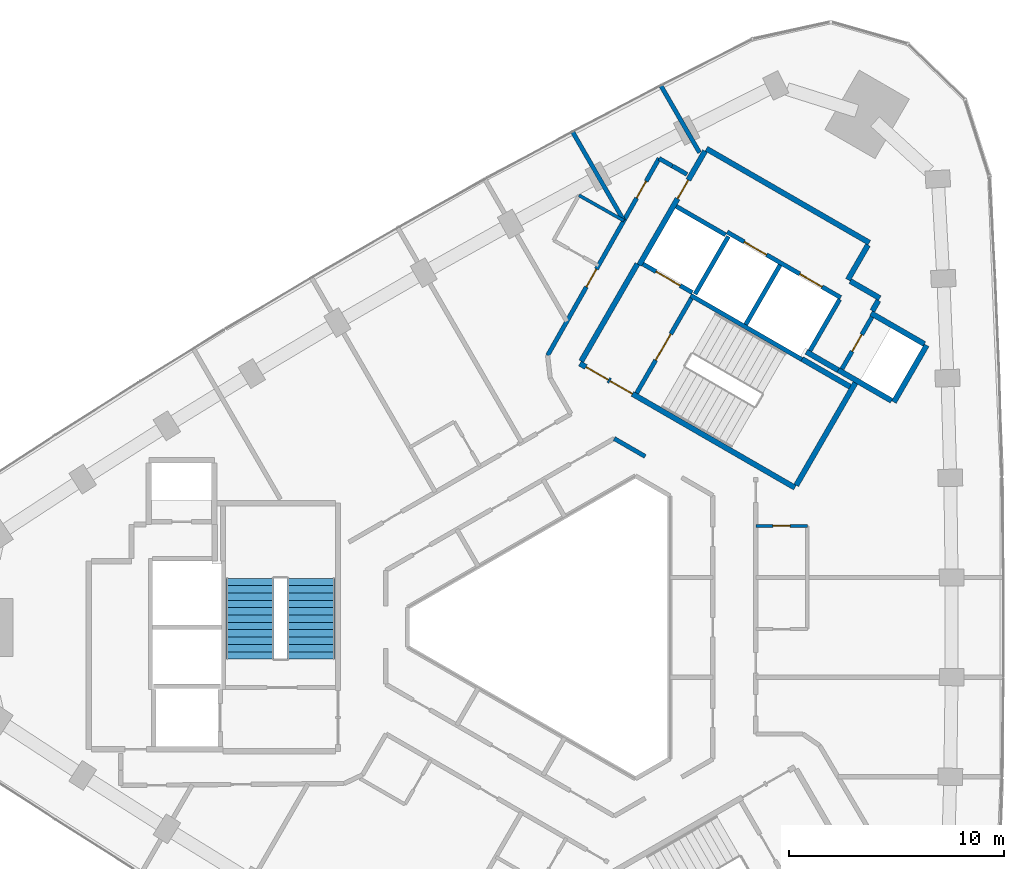
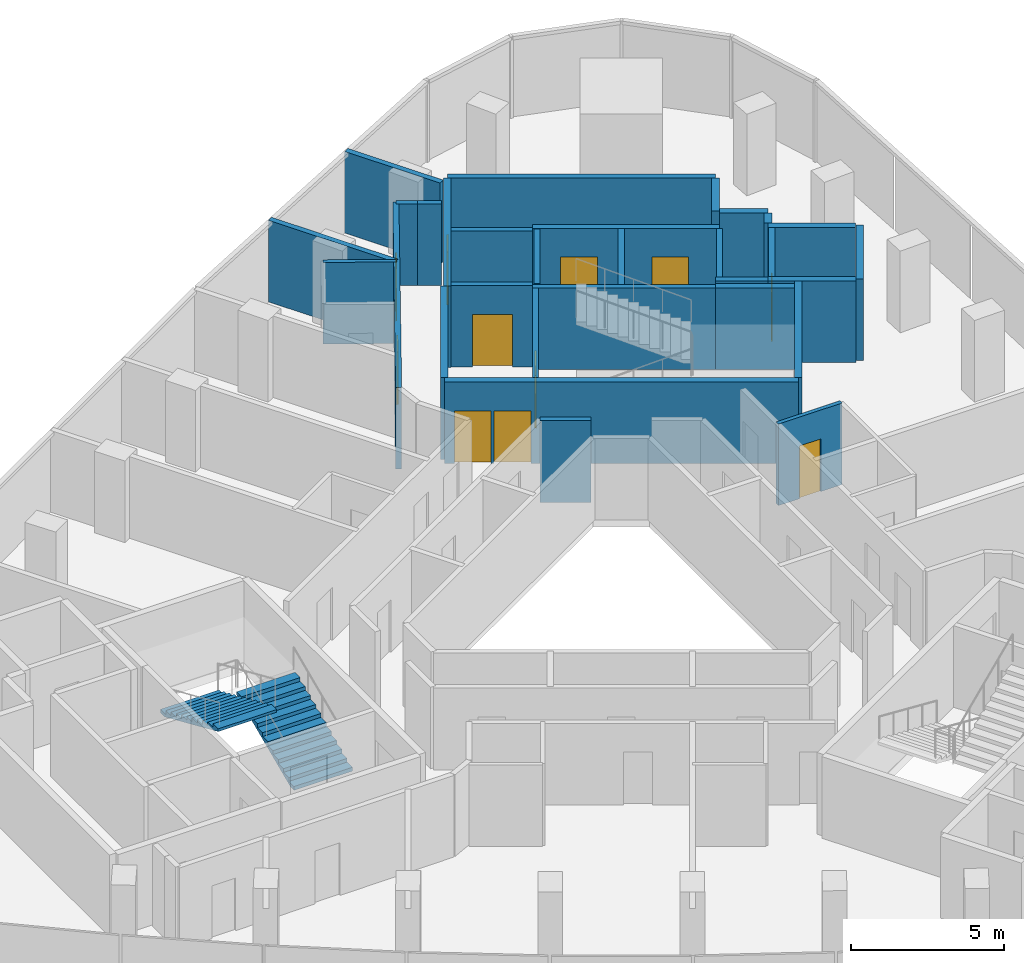
# One storey, part 10 of 12: 30 walls, 11 doors, 2 stair flights, 11 openings, 1 element without a shape of its own.
"""IFC4 building model written with IfcOpenShell, lengths in metres."""

from ifc_helpers import new_model, si_unit, direction, frame, frame_2d, origin, place, context, subcontext, project, spatial, polyline, rectangle, outline, extrude, material, layer, layer_set, type_object, element, fill, aggregate, save


model = new_model("IFC4")

# Units and contexts
model_context = context("Model", 3, precision=1e-05, world=origin(), true_north=direction((0.0, 1.0)))
body_context = subcontext(model_context, "Body", "Model", "MODEL_VIEW")
ifc_project = project(units=[si_unit("LENGTHUNIT", "METRE"), si_unit("AREAUNIT", "SQUARE_METRE"), si_unit("VOLUMEUNIT", "CUBIC_METRE"), si_unit("PLANEANGLEUNIT", "RADIAN"), si_unit("MASSUNIT", "GRAM", prefix="KILO")], contexts=[model_context])

# Site, building, storey
site_placement = place(None, origin())
site = spatial("IfcSite", under=ifc_project, at=site_placement, CompositionType="ELEMENT")
building_placement = place(site_placement, origin())
building = spatial("IfcBuilding", under=site, at=building_placement, Name="Tamra Quay Hotel Tower", CompositionType="ELEMENT")
storey_placement = place(building_placement, frame((0.0, 0.0, 200.800048828125)))
storey = spatial("IfcBuildingStorey", under=building, at=storey_placement, Name="L50", CompositionType="ELEMENT", Elevation=200.800048828125)

# Wall, openings, doors
ifc_material_1 = material(Name="Concrete M70", Category="concrete")
ifc_layer_1 = layer(ifc_material_1, 0.199951171875)
ifc_layer_set_1 = layer_set([ifc_layer_1], Name="Concrete M70 core wall 200")
wall_type_1 = type_object("IfcWallType", Name="Concrete M70 core wall 200", PredefinedType="SHEAR", material=ifc_layer_set_1)
wall_1_placement = place(storey_placement, frame((12.552490234375, 15.341552734375, 0.0), z_axis=(0.0, 0.0, 1.0), x_axis=(-0.866030299012, 0.499991521122, 0.0)))
wall_1 = element("IfcWall", 1, at=wall_1_placement, inside=storey, type_object=wall_type_1, Name="CW2", PredefinedType="SHEAR", context=body_context, shape_type="SweptSolid", body=[
    extrude(rectangle(XDim=6.10009765625, YDim=0.199951171875, at=frame_2d((3.050048828125, 0.0))), origin(), (0.0, 0.0, 1.0), 3.25),
])
opening_1_placement = place(wall_1_placement, frame((1.0, 0.0, 0.0)))
opening_1 = element("IfcOpeningElement", 2, at=opening_1_placement, cuts=wall_1, Name="Opening LD", PredefinedType="OPENING", context=body_context, shape_type="SweptSolid", body=[
    extrude(rectangle(XDim=1.199951171875, YDim=2.10009765625, at=frame_2d((0.60009765625, 1.050048828125))), frame((0.0, 0.10986328125, 0.0), z_axis=(0.0, -1.0, 0.0), x_axis=(1.0, 0.0, 0.0)), (0.0, 0.0, 1.0), 0.219970703125),
])
opening_2_placement = place(wall_1_placement, frame((3.982177734375, 0.0, 0.0)))
opening_2 = element("IfcOpeningElement", 3, at=opening_2_placement, cuts=wall_1, Name="Opening LD", PredefinedType="OPENING", context=body_context, shape_type="SweptSolid", body=[
    extrude(rectangle(XDim=1.199951171875, YDim=2.10009765625, at=frame_2d((0.60009765625, 1.050048828125))), frame((0.0, 0.10986328125, 0.0), z_axis=(0.0, -1.0, 0.0), x_axis=(1.0, 0.0, 0.0)), (0.0, 0.0, 1.0), 0.219970703125),
])
ifc_material_2 = material(Name="Landing door LD 1200 double door sliding")
door_type_1 = type_object("IfcDoorType", Name="Landing door LD 1200 double door sliding", OperationType="DOUBLE_DOOR_SLIDING", PredefinedType="DOOR", material=ifc_material_2)
door_1_placement = place(opening_1_placement, origin())
door_1 = element("IfcDoor", 4, at=door_1_placement, inside=storey, type_object=door_type_1, Name="LD", OperationType="DOUBLE_DOOR_SLIDING", OverallHeight=2.10009765625, OverallWidth=1.199951171875, PredefinedType="DOOR", context=body_context, shape_type="SweptSolid", body=[
    extrude(rectangle(XDim=1.199951171875, YDim=2.10009765625, at=frame_2d((0.60009765625, 1.050048828125))), frame((0.0, 0.02490234375, 0.0), z_axis=(0.0, -1.0, 0.0), x_axis=(1.0, 0.0, 0.0)), (0.0, 0.0, 1.0), 0.050048828125),
])
fill(opening_1, door_1)
door_2_placement = place(opening_2_placement, origin())
door_2 = element("IfcDoor", 5, at=door_2_placement, inside=storey, type_object=door_type_1, Name="LD", OperationType="DOUBLE_DOOR_SLIDING", OverallHeight=2.10009765625, OverallWidth=1.199951171875, PredefinedType="DOOR", context=body_context, shape_type="SweptSolid", body=[
    extrude(rectangle(XDim=1.199951171875, YDim=2.10009765625, at=frame_2d((0.60009765625, 1.050048828125))), frame((0.0, 0.02490234375, 0.0), z_axis=(0.0, -1.0, 0.0), x_axis=(1.0, 0.0, 0.0)), (0.0, 0.0, 1.0), 0.050048828125),
])
fill(opening_2, door_2)

# Wall
wall_2_placement = place(storey_placement, frame((10.7431640625, 12.4599609375, 0.0), z_axis=(0.0, 0.0, 1.0), x_axis=(-0.866018848283, 0.500011354289, 0.0)))
element("IfcWall", 6, at=wall_2_placement, inside=storey, type_object=wall_type_1, Name="CW2", PredefinedType="SHEAR", context=body_context, shape_type="SweptSolid", body=[
    extrude(rectangle(XDim=5.973876953125, YDim=0.199951171875, at=frame_2d((2.98681640625, 0.0))), origin(), (0.0, 0.0, 1.0), 3.25),
])

# Wall, opening, door
wall_3_placement = place(storey_placement, frame((3.056640625, 10.89453125, 0.0), z_axis=(0.0, 0.0, 1.0), x_axis=(0.500027839223, 0.866009330205, 0.0)))
wall_3 = element("IfcWall", 7, at=wall_3_placement, inside=storey, type_object=wall_type_1, Name="CW2", PredefinedType="SHEAR", context=body_context, shape_type="SweptSolid", body=[
    extrude(rectangle(XDim=5.097900390625, YDim=0.199951171875, at=frame_2d((2.548828125, 0.0))), origin(), (0.0, 0.0, 1.0), 3.25),
])
opening_3_placement = place(wall_3_placement, frame((1.77392578125, 0.0, 0.0)))
opening_3 = element("IfcOpeningElement", 8, at=opening_3_placement, cuts=wall_3, Name="Opening FD2", PredefinedType="OPENING", context=body_context, shape_type="SweptSolid", body=[
    extrude(rectangle(XDim=1.39990234375, YDim=2.10009765625, at=frame_2d((0.699951171875, 1.050048828125))), frame((0.0, 0.10986328125, 0.0), z_axis=(0.0, -1.0, 0.0), x_axis=(1.0, 0.0, 0.0)), (0.0, 0.0, 1.0), 0.219970703125),
])
ifc_material_3 = material(Name="Core door FD2 1400x2100 RH")
door_type_2 = type_object("IfcDoorType", Name="Core door FD2 1400x2100 RH", OperationType="NOTDEFINED", PredefinedType="DOOR", material=ifc_material_3)
door_3_placement = place(opening_3_placement, origin())
door_3 = element("IfcDoor", 9, at=door_3_placement, inside=storey, type_object=door_type_2, Name="FD2", OperationType="SINGLE_SWING_RIGHT", OverallHeight=2.10009765625, OverallWidth=1.39990234375, PredefinedType="DOOR", context=body_context, shape_type="SweptSolid", body=[
    extrude(rectangle(XDim=1.39990234375, YDim=2.10009765625, at=frame_2d((0.699951171875, 1.050048828125))), frame((0.0, 0.02490234375, 0.0), z_axis=(0.0, -1.0, 0.0), x_axis=(1.0, 0.0, 0.0)), (0.0, 0.0, 1.0), 0.050048828125),
])
fill(opening_3, door_3)

# Wall
wall_4_placement = place(storey_placement, frame((8.131591796875, 14.08447265625, 0.0), z_axis=(0.0, 0.0, 1.0), x_axis=(0.500030834389, 0.86600760081, 0.0)))
element("IfcWall", 10, at=wall_4_placement, inside=storey, type_object=wall_type_1, Name="CW2", PredefinedType="SHEAR", context=body_context, shape_type="SweptSolid", body=[
    extrude(rectangle(XDim=3.197998046875, YDim=0.199951171875, at=frame_2d((1.59912109375, 0.0))), origin(), (0.0, 0.0, 1.0), 3.25),
])

# Wall, opening, door
wall_5_placement = place(storey_placement, frame((14.0078125, 14.442138671875, 0.0), z_axis=(0.0, 0.0, 1.0), x_axis=(-0.499986818241, -0.866033014143, 0.0)))
wall_5 = element("IfcWall", 11, at=wall_5_placement, inside=storey, type_object=wall_type_1, Name="CW2", PredefinedType="SHEAR", context=body_context, shape_type="SweptSolid", body=[
    extrude(rectangle(XDim=2.7978515625, YDim=0.199951171875, at=frame_2d((1.39892578125, 0.0))), origin(), (0.0, 0.0, 1.0), 3.25),
])
opening_4_placement = place(wall_5_placement, frame((0.948974609375, 0.0, 0.0)))
opening_4 = element("IfcOpeningElement", 12, at=opening_4_placement, cuts=wall_5, Name="Opening D1", PredefinedType="OPENING", context=body_context, shape_type="SweptSolid", body=[
    extrude(rectangle(XDim=0.89990234375, YDim=2.10009765625, at=frame_2d((0.449951171875, 1.050048828125))), frame((0.0, 0.10986328125, 0.0), z_axis=(0.0, -1.0, 0.0), x_axis=(1.0, 0.0, 0.0)), (0.0, 0.0, 1.0), 0.219970703125),
])
ifc_material_4 = material(Name="Core door D1 900x2100 LH")
door_type_3 = type_object("IfcDoorType", Name="Core door D1 900x2100 LH", OperationType="NOTDEFINED", PredefinedType="DOOR", material=ifc_material_4)
door_4_placement = place(opening_4_placement, origin())
door_4 = element("IfcDoor", 13, at=door_4_placement, inside=storey, type_object=door_type_3, Name="D1", OperationType="SINGLE_SWING_LEFT", OverallHeight=2.10009765625, OverallWidth=0.89990234375, PredefinedType="DOOR", context=body_context, shape_type="SweptSolid", body=[
    extrude(rectangle(XDim=0.89990234375, YDim=2.10009765625, at=frame_2d((0.449951171875, 1.050048828125))), frame((0.0, 0.02490234375, 0.0), z_axis=(0.0, -1.0, 0.0), x_axis=(1.0, 0.0, 0.0)), (0.0, 0.0, 1.0), 0.050048828125),
])
fill(opening_4, door_4)

# Walls
wall_6_placement = place(storey_placement, frame((12.50244140625, 15.2548828125, 0.0), z_axis=(0.0, 0.0, 1.0), x_axis=(-0.499965018551, -0.866045599391, 0.0)))
element("IfcWall", 14, at=wall_6_placement, inside=storey, type_object=wall_type_1, Name="CW2", PredefinedType="SHEAR", context=body_context, shape_type="SweptSolid", body=[
    extrude(rectangle(XDim=2.759033203125, YDim=0.199951171875, at=frame_2d((1.37939453125, 0.0))), origin(), (0.0, 0.0, 1.0), 3.25),
])
wall_7_placement = place(storey_placement, frame((7.324462890625, 18.1865234375, 0.0), z_axis=(0.0, 0.0, 1.0), x_axis=(-0.499967891604, -0.866043940782, 0.0)))
element("IfcWall", 15, at=wall_7_placement, inside=storey, type_object=wall_type_1, Name="CW2", PredefinedType="SHEAR", context=body_context, shape_type="SweptSolid", body=[
    extrude(rectangle(XDim=3.099853515625, YDim=0.199951171875, at=frame_2d((1.5498046875, 0.0))), origin(), (0.0, 0.0, 1.0), 3.25),
])

# Wall, opening, door
wall_8_placement = place(storey_placement, frame((5.646240234375, 15.575927734375, 0.0), z_axis=(0.0, 0.0, 1.0), x_axis=(-0.866018407898, 0.500012117035, 0.0)))
wall_8 = element("IfcWall", 16, at=wall_8_placement, inside=storey, type_object=wall_type_1, Name="CW2", PredefinedType="SHEAR", context=body_context, shape_type="SweptSolid", body=[
    extrude(rectangle(XDim=2.65087890625, YDim=0.199951171875, at=frame_2d((1.325439453125, 0.0))), origin(), (0.0, 0.0, 1.0), 3.25),
])
opening_5_placement = place(wall_8_placement, frame((0.65185546875, 0.0, 0.0)))
opening_5 = element("IfcOpeningElement", 17, at=opening_5_placement, cuts=wall_8, Name="Opening LD", PredefinedType="OPENING", context=body_context, shape_type="SweptSolid", body=[
    extrude(rectangle(XDim=1.300048828125, YDim=2.10009765625, at=frame_2d((0.64990234375, 1.050048828125))), frame((0.0, 0.10986328125, 0.0), z_axis=(0.0, -1.0, 0.0), x_axis=(1.0, 0.0, 0.0)), (0.0, 0.0, 1.0), 0.219970703125),
])
ifc_material_5 = material(Name="Landing door LD 1300 sliding to right")
door_type_4 = type_object("IfcDoorType", Name="Landing door LD 1300 sliding to right", OperationType="NOTDEFINED", PredefinedType="DOOR", material=ifc_material_5)
door_5_placement = place(opening_5_placement, origin())
door_5 = element("IfcDoor", 18, at=door_5_placement, inside=storey, type_object=door_type_4, Name="LD", OperationType="SLIDING_TO_RIGHT", OverallHeight=2.10009765625, OverallWidth=1.300048828125, PredefinedType="DOOR", context=body_context, shape_type="SweptSolid", body=[
    extrude(rectangle(XDim=1.300048828125, YDim=2.10009765625, at=frame_2d((0.64990234375, 1.050048828125))), frame((0.0, 0.02490234375, 0.0), z_axis=(0.0, -1.0, 0.0), x_axis=(1.0, 0.0, 0.0)), (0.0, 0.0, 1.0), 0.050048828125),
])
fill(opening_5, door_5)

# Wall
wall_9_placement = place(storey_placement, frame((7.1962890625, 18.260498046875, 0.0), z_axis=(0.0, 0.0, 1.0), x_axis=(-0.866018407898, 0.500012117035, 0.0)))
element("IfcWall", 19, at=wall_9_placement, inside=storey, type_object=wall_type_1, Name="CW2", PredefinedType="SHEAR", context=body_context, shape_type="SweptSolid", body=[
    extrude(rectangle(XDim=2.65087890625, YDim=0.199951171875, at=frame_2d((1.325439453125, 0.0))), origin(), (0.0, 0.0, 1.0), 3.25),
])

# Wall, openings, doors
ifc_layer_2 = layer(ifc_material_1, 0.25)
ifc_layer_set_2 = layer_set([ifc_layer_2], Name="Concrete M70 core wall 250")
wall_type_2 = type_object("IfcWallType", Name="Concrete M70 core wall 250", PredefinedType="SHEAR", material=ifc_layer_set_2)
wall_10_placement = place(storey_placement, frame((10.419921875, 6.497802734375, 0.0), z_axis=(0.0, 0.0, 1.0), x_axis=(-0.866021906294, 0.500006057782, 0.0)))
wall_10 = element("IfcWall", 20, at=wall_10_placement, inside=storey, type_object=wall_type_2, Name="CW1", PredefinedType="SHEAR", context=body_context, shape_type="SweptSolid", body=[
    extrude(rectangle(XDim=11.550048828125, YDim=0.25, at=frame_2d((5.77490234375, 0.0))), origin(), (0.0, 0.0, 1.0), 3.25),
])
opening_6_placement = place(wall_10_placement, frame((10.02490234375, 0.0, 0.0)))
opening_6 = element("IfcOpeningElement", 21, at=opening_6_placement, cuts=wall_10, Name="Opening FD1", PredefinedType="OPENING", context=body_context, shape_type="SweptSolid", body=[
    extrude(rectangle(XDim=1.199951171875, YDim=2.10009765625, at=frame_2d((0.60009765625, 1.050048828125))), frame((0.0, 0.135009765625, 0.0), z_axis=(0.0, -1.0, 0.0), x_axis=(1.0, 0.0, 0.0)), (0.0, 0.0, 1.0), 0.27001953125),
])
opening_7_placement = place(wall_10_placement, frame((8.724853515625, 0.0, 0.0)))
opening_7 = element("IfcOpeningElement", 22, at=opening_7_placement, cuts=wall_10, Name="Opening FD1", PredefinedType="OPENING", context=body_context, shape_type="SweptSolid", body=[
    extrude(rectangle(XDim=1.199951171875, YDim=2.10009765625, at=frame_2d((0.60009765625, 1.050048828125))), frame((0.0, 0.135009765625, 0.0), z_axis=(0.0, -1.0, 0.0), x_axis=(1.0, 0.0, 0.0)), (0.0, 0.0, 1.0), 0.27001953125),
])
ifc_material_6 = material(Name="Core door FD1 1200x2100 LH")
door_type_5 = type_object("IfcDoorType", Name="Core door FD1 1200x2100 LH", OperationType="NOTDEFINED", PredefinedType="DOOR", material=ifc_material_6)
door_6_placement = place(opening_6_placement, origin())
door_6 = element("IfcDoor", 23, at=door_6_placement, inside=storey, type_object=door_type_5, Name="FD1", OperationType="SINGLE_SWING_LEFT", OverallHeight=2.10009765625, OverallWidth=1.199951171875, PredefinedType="DOOR", context=body_context, shape_type="SweptSolid", body=[
    extrude(rectangle(XDim=1.199951171875, YDim=2.10009765625, at=frame_2d((0.60009765625, 1.050048828125))), frame((0.0, 0.02490234375, 0.0), z_axis=(0.0, -1.0, 0.0), x_axis=(1.0, 0.0, 0.0)), (0.0, 0.0, 1.0), 0.050048828125),
])
fill(opening_6, door_6)
ifc_material_7 = material(Name="Core door FD1 1200x2100 RH")
door_type_6 = type_object("IfcDoorType", Name="Core door FD1 1200x2100 RH", OperationType="NOTDEFINED", PredefinedType="DOOR", material=ifc_material_7)
door_7_placement = place(opening_7_placement, origin())
door_7 = element("IfcDoor", 24, at=door_7_placement, inside=storey, type_object=door_type_6, Name="FD1", OperationType="SINGLE_SWING_RIGHT", OverallHeight=2.10009765625, OverallWidth=1.199951171875, PredefinedType="DOOR", context=body_context, shape_type="SweptSolid", body=[
    extrude(rectangle(XDim=1.199951171875, YDim=2.10009765625, at=frame_2d((0.60009765625, 1.050048828125))), frame((0.0, 0.02490234375, 0.0), z_axis=(0.0, -1.0, 0.0), x_axis=(1.0, 0.0, 0.0)), (0.0, 0.0, 1.0), 0.050048828125),
])
fill(opening_7, door_7)

# Wall
wall_11_placement = place(storey_placement, frame((6.303955078125, 22.268798828125, 0.0), z_axis=(0.0, 0.0, 1.0), x_axis=(0.866022959057, -0.500004234368, 0.0)))
element("IfcWall", 25, at=wall_11_placement, inside=storey, type_object=wall_type_2, Name="CW1", PredefinedType="SHEAR", context=body_context, shape_type="SweptSolid", body=[
    extrude(rectangle(XDim=8.75, YDim=0.25, at=frame_2d((4.375, 0.0))), origin(), (0.0, 0.0, 1.0), 3.25),
])

# Wall, opening, door
wall_12_placement = place(storey_placement, frame((3.178955078125, 16.856201171875, 0.0), z_axis=(0.0, 0.0, 1.0), x_axis=(0.500001955336, 0.866024274868, 0.0)))
wall_12 = element("IfcWall", 26, at=wall_12_placement, inside=storey, type_object=wall_type_2, Name="CW1", PredefinedType="SHEAR", context=body_context, shape_type="SweptSolid", body=[
    extrude(rectangle(XDim=6.12451171875, YDim=0.25, at=frame_2d((3.062255859375, 0.0))), origin(), (0.0, 0.0, 1.0), 3.25),
])
opening_8_placement = place(wall_12_placement, frame((3.562744140625, 0.0, 0.0)))
opening_8 = element("IfcOpeningElement", 27, at=opening_8_placement, cuts=wall_12, Name="Opening FD3", PredefinedType="OPENING", context=body_context, shape_type="SweptSolid", body=[
    extrude(rectangle(XDim=1.0, YDim=2.10009765625, at=frame_2d((0.5, 1.050048828125))), frame((0.0, 0.135009765625, 0.0), z_axis=(0.0, -1.0, 0.0), x_axis=(1.0, 0.0, 0.0)), (0.0, 0.0, 1.0), 0.27001953125),
])
ifc_material_8 = material(Name="Core door FD3 1000x2100 LH")
door_type_7 = type_object("IfcDoorType", Name="Core door FD3 1000x2100 LH", OperationType="NOTDEFINED", PredefinedType="DOOR", material=ifc_material_8)
door_8_placement = place(opening_8_placement, origin())
door_8 = element("IfcDoor", 28, at=door_8_placement, inside=storey, type_object=door_type_7, Name="FD3", OperationType="SINGLE_SWING_LEFT", OverallHeight=2.10009765625, OverallWidth=1.0, PredefinedType="DOOR", context=body_context, shape_type="SweptSolid", body=[
    extrude(rectangle(XDim=1.0, YDim=2.10009765625, at=frame_2d((0.5, 1.050048828125))), frame((0.0, 0.02490234375, 0.0), z_axis=(0.0, -1.0, 0.0), x_axis=(1.0, 0.0, 0.0)), (0.0, 0.0, 1.0), 0.050048828125),
])
fill(opening_8, door_8)

# Walls
wall_13_placement = place(storey_placement, frame((0.47998046875, 12.38134765625, 0.0), z_axis=(0.0, 0.0, 1.0), x_axis=(0.49999885962, 0.866026062182, 0.0)))
element("IfcWall", 29, at=wall_13_placement, inside=storey, type_object=wall_type_2, Name="CW1", PredefinedType="SHEAR", context=body_context, shape_type="SweptSolid", body=[
    extrude(rectangle(XDim=5.224609375, YDim=0.25, at=frame_2d((2.6123046875, 0.0))), origin(), (0.0, 0.0, 1.0), 3.25),
])
wall_14_placement = place(storey_placement, frame((13.237548828125, 11.3779296875, 0.0), z_axis=(0.0, 0.0, 1.0), x_axis=(-0.500008851346, -0.866020293397, 0.0)))
element("IfcWall", 30, at=wall_14_placement, inside=storey, type_object=wall_type_2, Name="CW1", PredefinedType="SHEAR", context=body_context, shape_type="SweptSolid", body=[
    extrude(rectangle(XDim=5.509765625, YDim=0.25, at=frame_2d((2.7548828125, 0.0))), origin(), (0.0, 0.0, 1.0), 3.25),
])
wall_15_placement = place(storey_placement, frame((16.552001953125, 13.118896484375, 0.0), z_axis=(0.0, 0.0, 1.0), x_axis=(-0.499978833458, -0.866037623948, 0.0)))
element("IfcWall", 31, at=wall_15_placement, inside=storey, type_object=wall_type_2, Name="CW1", PredefinedType="SHEAR", context=body_context, shape_type="SweptSolid", body=[
    extrude(rectangle(XDim=3.050048828125, YDim=0.25, at=frame_2d((1.52490234375, 0.0))), origin(), (0.0, 0.0, 1.0), 3.25),
])
wall_16_placement = place(storey_placement, frame((14.91845703125, 10.540283203125, 0.0), z_axis=(0.0, 0.0, 1.0), x_axis=(-0.866063538972, 0.499933942099, 0.0)))
element("IfcWall", 32, at=wall_16_placement, inside=storey, type_object=wall_type_2, Name="CW1", PredefinedType="SHEAR", context=body_context, shape_type="SweptSolid", body=[
    extrude(rectangle(XDim=2.86474609375, YDim=0.25, at=frame_2d((1.432373046875, 0.0))), origin(), (0.0, 0.0, 1.0), 3.25),
])
wall_17_placement = place(storey_placement, frame((13.962646484375, 14.61376953125, 0.0), z_axis=(0.0, 0.0, 1.0), x_axis=(0.866042235819, -0.499970844928, 0.0)))
element("IfcWall", 33, at=wall_17_placement, inside=storey, type_object=wall_type_2, Name="CW1", PredefinedType="SHEAR", context=body_context, shape_type="SweptSolid", body=[
    extrude(rectangle(XDim=2.864501953125, YDim=0.25, at=frame_2d((1.43212890625, 0.0))), origin(), (0.0, 0.0, 1.0), 3.25),
])
wall_18_placement = place(storey_placement, frame((10.756591796875, 12.481201171875, 0.0), z_axis=(0.0, 0.0, 1.0), x_axis=(0.866022940537, -0.500004266446, 0.0)))
element("IfcWall", 34, at=wall_18_placement, inside=storey, type_object=wall_type_2, Name="CW1", PredefinedType="SHEAR", context=body_context, shape_type="SweptSolid", body=[
    extrude(rectangle(XDim=2.57470703125, YDim=0.25, at=frame_2d((1.287353515625, 0.0))), origin(), (0.0, 0.0, 1.0), 3.25),
])
wall_19_placement = place(storey_placement, frame((13.819091796875, 17.78515625, 0.0), z_axis=(0.0, 0.0, 1.0), x_axis=(-0.500039802285, -0.866002422705, 0.0)))
element("IfcWall", 35, at=wall_19_placement, inside=storey, type_object=wall_type_2, Name="CW1", PredefinedType="SHEAR", context=body_context, shape_type="SweptSolid", body=[
    extrude(rectangle(XDim=1.864501953125, YDim=0.25, at=frame_2d((0.93212890625, 0.0))), origin(), (0.0, 0.0, 1.0), 3.25),
])
wall_20_placement = place(storey_placement, frame((12.4326171875, 11.9638671875, 0.0), z_axis=(0.0, 0.0, 1.0), x_axis=(-0.866038183914, 0.499977863513, 0.0)))
element("IfcWall", 36, at=wall_20_placement, inside=storey, type_object=wall_type_2, Name="CW1", PredefinedType="SHEAR", context=body_context, shape_type="SweptSolid", body=[
    extrude(rectangle(XDim=1.7099609375, YDim=0.25, at=frame_2d((0.85498046875, 0.0))), origin(), (0.0, 0.0, 1.0), 3.25),
])
wall_21_placement = place(storey_placement, frame((12.995361328125, 16.107666015625, 0.0), z_axis=(0.0, 0.0, 1.0), x_axis=(0.866044474677, -0.49996696679, 0.0)))
element("IfcWall", 37, at=wall_21_placement, inside=storey, type_object=wall_type_2, Name="CW1", PredefinedType="SHEAR", context=body_context, shape_type="SweptSolid", body=[
    extrude(rectangle(XDim=1.58447265625, YDim=0.25, at=frame_2d((0.792236328125, 0.0))), origin(), (0.0, 0.0, 1.0), 3.25),
])
wall_22_placement = place(storey_placement, frame((14.304931640625, 15.206787109375, 0.0), z_axis=(0.0, 0.0, 1.0), x_axis=(-0.499848422343, -0.866112899501, 0.0)))
element("IfcWall", 38, at=wall_22_placement, inside=storey, type_object=wall_type_2, Name="CW1", PredefinedType="SHEAR", context=body_context, shape_type="SweptSolid", body=[
    extrude(rectangle(XDim=0.559326171875, YDim=0.25, at=frame_2d((0.27978515625, 0.0))), origin(), (0.0, 0.0, 1.0), 3.25),
])

# Wall, openings, doors
ifc_material_9 = material(Name="Partition corridor wall")
ifc_layer_3 = layer(ifc_material_9, 0.199951171875)
ifc_layer_set_3 = layer_set([ifc_layer_3], Name="Partition corridor wall")
wall_type_3 = type_object("IfcWallType", Name="Partition corridor wall", PredefinedType="PARTITIONING", material=ifc_layer_set_3)
wall_23_placement = place(storey_placement, frame((-1.085693359375, 12.650390625, 0.0), z_axis=(0.0, 0.0, 1.0), x_axis=(0.492507119433, 0.870308415051, 0.0)))
wall_23 = element("IfcWall", 39, at=wall_23_placement, inside=storey, type_object=wall_type_3, Name="W-C", PredefinedType="PARTITIONING", context=body_context, shape_type="SweptSolid", body=[
    extrude(rectangle(XDim=10.53125, YDim=0.199951171875, at=frame_2d((5.265625, 0.0))), origin(), (0.0, 0.0, 1.0), 3.25),
])
opening_9_placement = place(wall_23_placement, frame((8.411376953125, 0.0, 0.0)))
opening_9 = element("IfcOpeningElement", 40, at=opening_9_placement, cuts=wall_23, Name="Opening L50-D008", PredefinedType="OPENING", context=body_context, shape_type="SweptSolid", body=[
    extrude(rectangle(XDim=0.89990234375, YDim=2.10009765625, at=frame_2d((0.449951171875, 1.050048828125))), frame((0.0, 0.10986328125, 0.0), z_axis=(0.0, -1.0, 0.0), x_axis=(1.0, 0.0, 0.0)), (0.0, 0.0, 1.0), 0.219970703125),
])
opening_10_placement = place(wall_23_placement, frame((3.664306640625, 0.0, 0.0)))
opening_10 = element("IfcOpeningElement", 41, at=opening_10_placement, cuts=wall_23, Name="Opening L50-D009", PredefinedType="OPENING", context=body_context, shape_type="SweptSolid", body=[
    extrude(rectangle(XDim=0.949951171875, YDim=2.10009765625, at=frame_2d((0.47509765625, 1.050048828125))), frame((0.0, 0.10986328125, 0.0), z_axis=(0.0, -1.0, 0.0), x_axis=(1.0, 0.0, 0.0)), (0.0, 0.0, 1.0), 0.219970703125),
])
ifc_material_10 = material(Name="Door guest room 950x2100")
door_type_8 = type_object("IfcDoorType", Name="Door guest room 950x2100", OperationType="NOTDEFINED", PredefinedType="DOOR", material=ifc_material_10)
door_9_placement = place(opening_10_placement, origin())
door_9 = element("IfcDoor", 42, at=door_9_placement, inside=storey, type_object=door_type_8, Name="L50-D009", OperationType="SINGLE_SWING_LEFT", OverallHeight=2.10009765625, OverallWidth=0.949951171875, PredefinedType="DOOR", context=body_context, shape_type="SweptSolid", body=[
    extrude(rectangle(XDim=0.949951171875, YDim=2.10009765625, at=frame_2d((0.47509765625, 1.050048828125))), frame((0.0, 0.02490234375, 0.0), z_axis=(0.0, -1.0, 0.0), x_axis=(1.0, 0.0, 0.0)), (0.0, 0.0, 1.0), 0.050048828125),
])
fill(opening_10, door_9)
ifc_material_11 = material(Name="Door service room 900x2100")
door_type_9 = type_object("IfcDoorType", Name="Door service room 900x2100", OperationType="NOTDEFINED", PredefinedType="DOOR", material=ifc_material_11)
door_10_placement = place(opening_9_placement, origin())
door_10 = element("IfcDoor", 43, at=door_10_placement, inside=storey, type_object=door_type_9, Name="L50-D008", OperationType="SINGLE_SWING_LEFT", OverallHeight=2.10009765625, OverallWidth=0.89990234375, PredefinedType="DOOR", context=body_context, shape_type="SweptSolid", body=[
    extrude(rectangle(XDim=0.89990234375, YDim=2.10009765625, at=frame_2d((0.449951171875, 1.050048828125))), frame((0.0, 0.02490234375, 0.0), z_axis=(0.0, -1.0, 0.0), x_axis=(1.0, 0.0, 0.0)), (0.0, 0.0, 1.0), 0.050048828125),
])
fill(opening_9, door_10)

# Walls
wall_24_placement = place(storey_placement, frame((2.012451171875, 8.78369140625, 0.0), z_axis=(0.0, 0.0, 1.0), x_axis=(0.865934186891, -0.500157959022, 0.0)))
element("IfcWall", 44, at=wall_24_placement, inside=storey, type_object=wall_type_3, Name="W-C", PredefinedType="PARTITIONING", context=body_context, shape_type="SweptSolid", body=[
    extrude(rectangle(XDim=1.666015625, YDim=0.199951171875, at=frame_2d((0.8330078125, 0.0))), origin(), (0.0, 0.0, 1.0), 3.25),
])
wall_25_placement = place(storey_placement, frame((4.10205078125, 21.81591796875, 0.0), z_axis=(0.0, 0.0, 1.0), x_axis=(0.867664502326, -0.497150189986, 0.0)))
element("IfcWall", 45, at=wall_25_placement, inside=storey, type_object=wall_type_3, Name="W-C", PredefinedType="PARTITIONING", context=body_context, shape_type="SweptSolid", body=[
    extrude(rectangle(XDim=0.70166015625, YDim=0.199951171875, at=frame_2d((0.350830078125, 0.0))), origin(), (0.0, 0.0, 1.0), 3.25),
])
wall_26_placement = place(storey_placement, frame((4.716064453125, 21.468017578125, 0.0), z_axis=(0.0, 0.0, 1.0), x_axis=(0.865912682783, -0.500195187698, 0.0)))
element("IfcWall", 46, at=wall_26_placement, inside=storey, type_object=wall_type_3, Name="W-C", PredefinedType="PARTITIONING", context=body_context, shape_type="SweptSolid", body=[
    extrude(rectangle(XDim=0.789794921875, YDim=0.199951171875, at=frame_2d((0.39501953125, 0.0))), origin(), (0.0, 0.0, 1.0), 3.25),
])
ifc_material_12 = material(Name="Partition en-suite wall")
ifc_layer_4 = layer(ifc_material_12, 0.14990234375)
ifc_layer_set_4 = layer_set([ifc_layer_4], Name="Partition en-suite wall")
wall_type_4 = type_object("IfcWallType", Name="Partition en-suite wall", PredefinedType="PARTITIONING", material=ifc_layer_set_4)
wall_27_placement = place(storey_placement, frame((0.373046875, 20.10107421875, 0.0), z_axis=(0.0, 0.0, 1.0), x_axis=(0.870301279559, -0.492519728334, 0.0)))
element("IfcWall", 47, at=wall_27_placement, inside=storey, type_object=wall_type_4, Name="W-E", PredefinedType="PARTITIONING", context=body_context, shape_type="SweptSolid", body=[
    extrude(rectangle(XDim=2.400146484375, YDim=0.14990234375, at=frame_2d((1.2001953125, 0.0))), origin(), (0.0, 0.0, 1.0), 3.25),
])

# Wall, opening, door
wall_28_placement = place(storey_placement, frame((8.60107421875, 4.718994140625, 0.0), z_axis=(0.0, 0.0, 1.0), x_axis=(1.0, 0.0, 0.0)))
wall_28 = element("IfcWall", 48, at=wall_28_placement, inside=storey, type_object=wall_type_4, Name="W-E", PredefinedType="PARTITIONING", context=body_context, shape_type="SweptSolid", body=[
    extrude(rectangle(XDim=2.39697265625, YDim=0.14990234375, at=frame_2d((1.198486328125, 0.0))), origin(), (0.0, 0.0, 1.0), 3.25),
])
opening_11_placement = place(wall_28_placement, frame((0.799072265625, 0.0, 0.0)))
opening_11 = element("IfcOpeningElement", 49, at=opening_11_placement, cuts=wall_28, Name="Opening L50-D007", PredefinedType="OPENING", context=body_context, shape_type="SweptSolid", body=[
    extrude(rectangle(XDim=0.800048828125, YDim=2.10009765625, at=frame_2d((0.39990234375, 1.050048828125))), frame((0.0, 0.0849609375, 0.0), z_axis=(0.0, -1.0, 0.0), x_axis=(1.0, 0.0, 0.0)), (0.0, 0.0, 1.0), 0.169921875),
])
ifc_material_13 = material(Name="Door en-suite 800x2100")
door_type_10 = type_object("IfcDoorType", Name="Door en-suite 800x2100", OperationType="NOTDEFINED", PredefinedType="DOOR", material=ifc_material_13)
door_11_placement = place(opening_11_placement, origin())
door_11 = element("IfcDoor", 50, at=door_11_placement, inside=storey, type_object=door_type_10, Name="L50-D007", OperationType="SINGLE_SWING_LEFT", OverallHeight=2.10009765625, OverallWidth=0.800048828125, PredefinedType="DOOR", context=body_context, shape_type="SweptSolid", body=[
    extrude(rectangle(XDim=0.800048828125, YDim=2.10009765625, at=frame_2d((0.39990234375, 1.050048828125))), frame((0.0, 0.02490234375, 0.0), z_axis=(0.0, -1.0, 0.0), x_axis=(1.0, 0.0, 0.0)), (0.0, 0.0, 1.0), 0.050048828125),
])
fill(opening_11, door_11)

# Walls
ifc_material_14 = material(Name="Partition party wall")
ifc_layer_5 = layer(ifc_material_14, 0.199951171875)
ifc_layer_set_5 = layer_set([ifc_layer_5], Name="Partition party wall")
wall_type_5 = type_object("IfcWallType", Name="Partition party wall", PredefinedType="PARTITIONING", material=ifc_layer_set_5)
wall_29_placement = place(storey_placement, frame((0.07568359375, 23.052490234375, 0.0), z_axis=(0.0, 0.0, 1.0), x_axis=(0.499957131376, -0.866050152581, 0.0)))
element("IfcWall", 51, at=wall_29_placement, inside=storey, type_object=wall_type_5, Name="W-P", PredefinedType="PARTITIONING", context=body_context, shape_type="SweptSolid", body=[
    extrude(rectangle(XDim=4.77294921875, YDim=0.199951171875, at=frame_2d((2.386474609375, 0.0))), origin(), (0.0, 0.0, 1.0), 3.25),
])
wall_30_placement = place(storey_placement, frame((4.184326171875, 25.203125, 0.0), z_axis=(0.0, 0.0, 1.0), x_axis=(0.4998731114, -0.866098650558, 0.0)))
element("IfcWall", 52, at=wall_30_placement, inside=storey, type_object=wall_type_5, Name="W-P", PredefinedType="PARTITIONING", context=body_context, shape_type="SweptSolid", body=[
    extrude(rectangle(XDim=3.6005859375, YDim=0.199951171875, at=frame_2d((1.80029296875, 0.0))), origin(), (0.0, 0.0, 1.0), 3.25),
])

# Stair, stair flights
ifc_material_15 = material(Name="Exit stair 2200 24 risers 150.0 going 342")
stair_type = type_object("IfcStairType", Name="Exit stair 2200 24 risers 150.0 going 342", PredefinedType="HALF_TURN_STAIR", material=ifc_material_15)
stair_placement = place(storey_placement, origin())
stair = element("IfcStair", 53, at=stair_placement, inside=storey, type_object=stair_type, Name="L50 Exit stair ST3", PredefinedType="HALF_TURN_STAIR")
ifc_material_16 = material(Name="Exit stair flight 2200 12 risers 150.0")
stair_flight_type = type_object("IfcStairFlightType", Name="Exit stair flight 2200 12 risers 150.0", PredefinedType="STRAIGHT", material=ifc_material_16)
stair_flight_1_placement = place(storey_placement, frame((-12.082275390625, -1.47998046875, 0.0), z_axis=(0.0, 0.0, 1.0), x_axis=(0.0, 1.0, 0.0)))
stair_flight_1 = element("IfcStairFlight", 54, at=stair_flight_1_placement, type_object=stair_flight_type, Name="ST3 flight 1", NumberOfRisers=12, NumberOfTreads=11, PredefinedType="STRAIGHT", RiserHeight=0.15, TreadLength=0.342, context=body_context, shape_type="SweptSolid", body=[
    extrude(outline(polyline([(0.0, 0.0), (0.0, 0.14990234375), (0.342041015625, 0.14990234375), (0.342041015625, 0.300048828125), (0.68408203125, 0.300048828125), (0.68408203125, 0.449951171875), (1.02587890625, 0.449951171875), (1.02587890625, 0.60009765625), (1.367919921875, 0.60009765625), (1.367919921875, 0.75), (1.7099609375, 0.75), (1.7099609375, 0.89990234375), (2.052001953125, 0.89990234375), (2.052001953125, 1.050048828125), (2.39404296875, 1.050048828125), (2.39404296875, 1.199951171875), (2.736083984375, 1.199951171875), (2.736083984375, 1.35009765625), (3.077880859375, 1.35009765625), (3.077880859375, 1.5), (3.419921875, 1.5), (3.419921875, 1.64990234375), (3.761962890625, 1.64990234375), (3.761962890625, 1.800048828125), (3.761962890625, 1.540771484375), (0.249267578125, 0.0), (0.0, 0.0)])), frame((0.0, 1.10009765625, 0.0), z_axis=(0.0, -1.0, 0.0), x_axis=(1.0, 0.0, 0.0)), (0.0, 0.0, 1.0), 2.199951171875),
])
stair_flight_2_placement = place(storey_placement, frame((-14.94140625, 2.281982421875, 1.800048828125), z_axis=(0.0, 0.0, 1.0), x_axis=(0.0, -1.0, 0.0)))
stair_flight_2 = element("IfcStairFlight", 55, at=stair_flight_2_placement, type_object=stair_flight_type, Name="ST3 flight 2", NumberOfRisers=12, NumberOfTreads=11, PredefinedType="STRAIGHT", RiserHeight=0.15, TreadLength=0.342, context=body_context, shape_type="SweptSolid", body=[
    extrude(outline(polyline([(0.0, 0.0), (0.0, 0.14990234375), (0.342041015625, 0.14990234375), (0.342041015625, 0.300048828125), (0.68408203125, 0.300048828125), (0.68408203125, 0.449951171875), (1.02587890625, 0.449951171875), (1.02587890625, 0.60009765625), (1.367919921875, 0.60009765625), (1.367919921875, 0.75), (1.7099609375, 0.75), (1.7099609375, 0.89990234375), (2.052001953125, 0.89990234375), (2.052001953125, 1.050048828125), (2.39404296875, 1.050048828125), (2.39404296875, 1.199951171875), (2.736083984375, 1.199951171875), (2.736083984375, 1.35009765625), (3.077880859375, 1.35009765625), (3.077880859375, 1.5), (3.419921875, 1.5), (3.419921875, 1.64990234375), (3.761962890625, 1.64990234375), (3.761962890625, 1.800048828125), (3.761962890625, 1.540771484375), (0.249267578125, 0.0), (0.0, 0.0)])), frame((0.0, 1.10009765625, 0.0), z_axis=(0.0, -1.0, 0.0), x_axis=(1.0, 0.0, 0.0)), (0.0, 0.0, 1.0), 2.199951171875),
])
aggregate(stair, [stair_flight_1, stair_flight_2])

save(model, "model.ifc")
